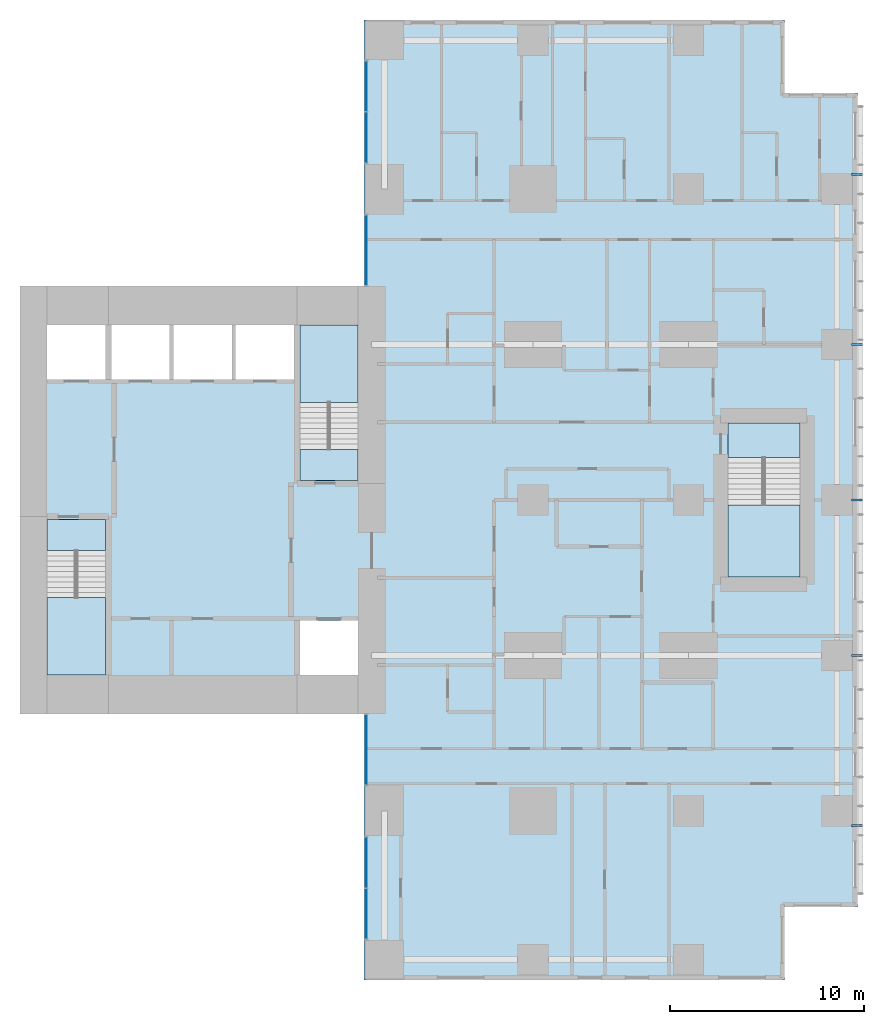
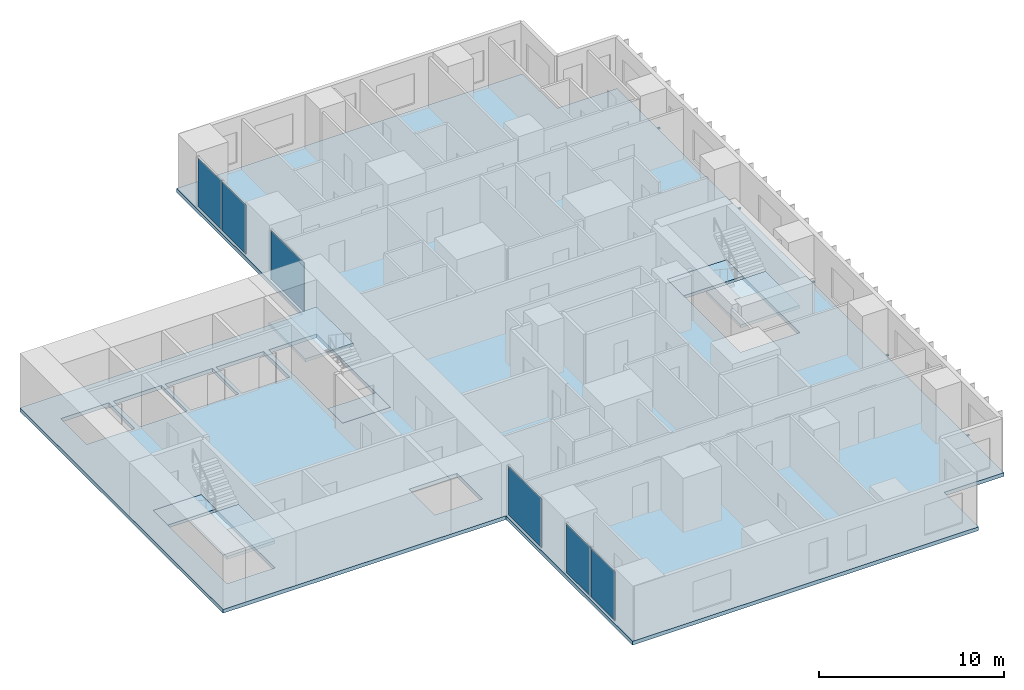
# One storey, part 4 of 12: 7 slabs, 6 plates, 5 members, 7 elements without a shape of their own.
"""IFC4 building model written with IfcOpenShell, lengths in metres."""

from ifc_helpers import new_model, si_unit, direction, frame, origin, origin_2d, place, context, subcontext, project, spatial, polyline, rectangle, hollow_rectangle, outline, extrude, material, layer, layer_set, material_profile, profile_set, type_object, element, aggregate, save


model = new_model("IFC4")

# Units and contexts
model_context = context("Model", 3, precision=1e-05, world=origin(), true_north=direction((0.0, 1.0)))
body_context = subcontext(model_context, "Body", "Model", "MODEL_VIEW")
ifc_project = project(units=[si_unit("LENGTHUNIT", "METRE"), si_unit("AREAUNIT", "SQUARE_METRE"), si_unit("VOLUMEUNIT", "CUBIC_METRE"), si_unit("PLANEANGLEUNIT", "RADIAN"), si_unit("MASSUNIT", "GRAM", prefix="KILO")], contexts=[model_context])

# Site, building, storey
site_placement = place(None, origin())
site = spatial("IfcSite", under=ifc_project, at=site_placement, CompositionType="ELEMENT")
building_placement = place(site_placement, origin())
building = spatial("IfcBuilding", under=site, at=building_placement, Name="Cleftline Residences", CompositionType="ELEMENT")
storey_placement = place(building_placement, frame((0.0, 0.0, 252.0)))
storey = spatial("IfcBuildingStorey", under=building, at=storey_placement, Name="L66", CompositionType="ELEMENT", Elevation=252.0)

# Members
ifc_material_1 = material(Name="Steel S355, hot-dip galvanised", Category="steel")
ifc_material_profile = material_profile(ifc_material_1, hollow_rectangle(XDim=0.10009765625, YDim=0.10009765625, WallThickness=0.008056640625, InnerFilletRadius=0.008056640625, OuterFilletRadius=0.011962890625, at=origin_2d()))
ifc_profile_set = profile_set([ifc_material_profile], Name="Steel S355, hot-dip galvanised")
member_type = type_object("IfcMemberType", Name="BAGUETTE BRACKET SHS 100X100X8", PredefinedType="USERDEFINED", material=ifc_profile_set)
for number, where, z_axis, x_axis, name in (
    (1, (66.39990234375, 7.25, -0.14990234375), (1.0, 0.0, 0.0), (0.0, 1.0, 0.0), "Baguette bracket"),
    (2, (66.39990234375, 16.0, -0.14990234375), (1.0, 0.0, 0.0), (0.0, 1.0, 0.0), "Baguette bracket"),
    (3, (66.39990234375, 24.0, -0.14990234375), (1.0, 0.0, 0.0), (0.0, 1.0, 0.0), "Baguette bracket"),
    (4, (66.39990234375, 32.0, -0.14990234375), (1.0, 0.0, 0.0), (0.0, 1.0, 0.0), "Baguette bracket"),
    (5, (66.39990234375, 40.75, -0.14990234375), (1.0, 0.0, 0.0), (0.0, 1.0, 0.0), "Baguette bracket"),
):
    element("IfcMember", number, at=place(storey_placement, frame(where, z_axis=z_axis, x_axis=x_axis)), inside=storey, type_object=member_type, Name=name, ObjectType="BAGUETTE BRACKET", PredefinedType="USERDEFINED", context=body_context, shape_type="SweptSolid", body=[
        extrude(hollow_rectangle(XDim=0.10009765625, YDim=0.10009765625, WallThickness=0.008056640625, InnerFilletRadius=0.008056640625, OuterFilletRadius=0.011962890625, at=origin_2d()), origin(), (0.0, 0.0, 1.0), 0.550048828125),
    ])

# Curtain wall, plate
ifc_material_2 = material(Name="Aluminium framed curtain wall", Category="aluminium")
ifc_layer_1 = layer(ifc_material_2, 0.199951171875)
ifc_layer_set_1 = layer_set([ifc_layer_1], Name="CW1 CLEFT GLAZING")
curtain_wall_type = type_object("IfcCurtainWallType", Name="CW1 CLEFT GLAZING", PredefinedType="NOTDEFINED", material=ifc_layer_set_1)
curtain_wall_1_placement = place(storey_placement, origin())
curtain_wall_1 = element("IfcCurtainWall", 6, at=curtain_wall_1_placement, inside=storey, type_object=curtain_wall_type, Name="Curtain wall CW1", PredefinedType="NOTDEFINED")
ifc_material_3 = material(Name="Laminated clear glass", Category="glass")
ifc_layer_2 = layer(ifc_material_3, 0.028076171875)
ifc_layer_set_2 = layer_set([ifc_layer_2], Name="CW1 GLASS PANEL")
plate_type = type_object("IfcPlateType", Name="CW1 GLASS PANEL", PredefinedType="CURTAIN_PANEL", material=ifc_layer_set_2)
plate_1_placement = place(storey_placement, frame((41.425048828125, 11.14990234375, 0.06005859375), z_axis=(0.0, 0.0, 1.0), x_axis=(0.0, -1.0, 0.0)))
plate_1 = element("IfcPlate", 7, at=plate_1_placement, type_object=plate_type, Name="CW1 panel 1.1", PredefinedType="CURTAIN_PANEL", context=body_context, shape_type="SweptSolid", body=[
    extrude(rectangle(XDim=3.580078125, YDim=0.028076171875, at=origin_2d()), origin(), (0.0, 0.0, 1.0), 3.22998046875),
])
aggregate(curtain_wall_1, [plate_1])

# Curtain wall, plates
curtain_wall_2_placement = place(storey_placement, origin())
curtain_wall_2 = element("IfcCurtainWall", 8, at=curtain_wall_2_placement, inside=storey, type_object=curtain_wall_type, Name="Curtain wall CW1", PredefinedType="NOTDEFINED")
plate_2_placement = place(storey_placement, frame((41.425048828125, 5.347412109375, 0.06005859375), z_axis=(0.0, 0.0, 1.0), x_axis=(0.0, -1.0, 0.0)))
plate_2 = element("IfcPlate", 9, at=plate_2_placement, type_object=plate_type, Name="CW1 panel 1.1", PredefinedType="CURTAIN_PANEL", context=body_context, shape_type="SweptSolid", body=[
    extrude(rectangle(XDim=2.5849609375, YDim=0.028076171875, at=origin_2d()), origin(), (0.0, 0.0, 1.0), 3.22998046875),
])
plate_3_placement = place(storey_placement, frame((41.425048828125, 2.702392578125, 0.06005859375), z_axis=(0.0, 0.0, 1.0), x_axis=(0.0, -1.0, 0.0)))
plate_3 = element("IfcPlate", 10, at=plate_3_placement, type_object=plate_type, Name="CW1 panel 2.1", PredefinedType="CURTAIN_PANEL", context=body_context, shape_type="SweptSolid", body=[
    extrude(rectangle(XDim=2.5849609375, YDim=0.028076171875, at=origin_2d()), origin(), (0.0, 0.0, 1.0), 3.22998046875),
])
aggregate(curtain_wall_2, [plate_2, plate_3])

curtain_wall_3_placement = place(storey_placement, origin())
curtain_wall_3 = element("IfcCurtainWall", 11, at=curtain_wall_3_placement, inside=storey, type_object=curtain_wall_type, Name="Curtain wall CW1", PredefinedType="NOTDEFINED")
plate_4_placement = place(storey_placement, frame((41.425048828125, 45.297607421875, 0.06005859375), z_axis=(0.0, 0.0, 1.0), x_axis=(0.0, -1.0, 0.0)))
plate_4 = element("IfcPlate", 12, at=plate_4_placement, type_object=plate_type, Name="CW1 panel 1.1", PredefinedType="CURTAIN_PANEL", context=body_context, shape_type="SweptSolid", body=[
    extrude(rectangle(XDim=2.5849609375, YDim=0.028076171875, at=origin_2d()), origin(), (0.0, 0.0, 1.0), 3.22998046875),
])
plate_5_placement = place(storey_placement, frame((41.425048828125, 42.652587890625, 0.06005859375), z_axis=(0.0, 0.0, 1.0), x_axis=(0.0, -1.0, 0.0)))
plate_5 = element("IfcPlate", 13, at=plate_5_placement, type_object=plate_type, Name="CW1 panel 2.1", PredefinedType="CURTAIN_PANEL", context=body_context, shape_type="SweptSolid", body=[
    extrude(rectangle(XDim=2.5849609375, YDim=0.028076171875, at=origin_2d()), origin(), (0.0, 0.0, 1.0), 3.22998046875),
])
aggregate(curtain_wall_3, [plate_4, plate_5])

# Curtain wall, plate
curtain_wall_4_placement = place(storey_placement, origin())
curtain_wall_4 = element("IfcCurtainWall", 14, at=curtain_wall_4_placement, inside=storey, type_object=curtain_wall_type, Name="Curtain wall CW1", PredefinedType="NOTDEFINED")
plate_6_placement = place(storey_placement, frame((41.425048828125, 36.85009765625, 0.06005859375), z_axis=(0.0, 0.0, 1.0), x_axis=(0.0, -1.0, 0.0)))
plate_6 = element("IfcPlate", 15, at=plate_6_placement, type_object=plate_type, Name="CW1 panel 1.1", PredefinedType="CURTAIN_PANEL", context=body_context, shape_type="SweptSolid", body=[
    extrude(rectangle(XDim=3.580078125, YDim=0.028076171875, at=origin_2d()), origin(), (0.0, 0.0, 1.0), 3.22998046875),
])
aggregate(curtain_wall_4, [plate_6])

# Slab
ifc_material_4 = material(Name="Concrete B45", Category="concrete")
ifc_layer_3 = layer(ifc_material_4, 0.25)
ifc_layer_set_3 = layer_set([ifc_layer_3], Name="FLOOR SLAB 250")
slab_type_1 = type_object("IfcSlabType", Name="FLOOR SLAB 250", PredefinedType="FLOOR", material=ifc_layer_set_3)
slab_1_placement = place(storey_placement, frame((0.0, 0.0, -0.25)))
element("IfcSlab", 16, at=slab_1_placement, inside=storey, type_object=slab_type_1, Name="Floor slab L66", PredefinedType="FLOOR", context=body_context, shape_type="SweptSolid", body=[
    extrude(outline(polyline([(41.300048828125, 13.0), (41.300048828125, -0.699951171875), (62.949951171875, -0.699951171875), (62.949951171875, 3.050048828125), (66.699951171875, 3.050048828125), (66.699951171875, 44.949951171875), (62.949951171875, 44.949951171875), (62.949951171875, 48.699951171875), (41.300048828125, 48.699951171875), (41.300048828125, 35.0), (23.60009765625, 35.0), (23.60009765625, 13.0), (41.300048828125, 13.0)]), holes=[polyline([(28.0, 15.0), (28.0, 23.0), (25.0, 23.0), (25.0, 15.0), (28.0, 15.0)]), polyline([(41.0, 25.0), (41.0, 33.0), (38.0, 33.0), (38.0, 25.0), (41.0, 25.0)]), polyline([(28.0, 30.199951171875), (28.0, 33.0), (25.0, 33.0), (25.0, 30.199951171875), (28.0, 30.199951171875)]), polyline([(41.0, 15.0), (41.0, 17.800048828125), (38.0, 17.800048828125), (38.0, 15.0), (41.0, 15.0)]), polyline([(31.300048828125, 30.199951171875), (31.300048828125, 33.0), (28.300048828125, 33.0), (28.300048828125, 30.199951171875), (31.300048828125, 30.199951171875)]), polyline([(34.5, 30.199951171875), (34.5, 33.0), (31.5, 33.0), (31.5, 30.199951171875), (34.5, 30.199951171875)]), polyline([(37.699951171875, 30.199951171875), (37.699951171875, 33.0), (34.699951171875, 33.0), (34.699951171875, 30.199951171875), (37.699951171875, 30.199951171875)]), polyline([(63.72509765625, 20.02490234375), (63.72509765625, 27.97509765625), (60.02490234375, 27.97509765625), (60.02490234375, 20.02490234375), (63.72509765625, 20.02490234375)])]), origin(), (0.0, 0.0, 1.0), 0.25),
])

# Stair, slabs
ifc_material_5 = material(Name="Concrete B45, stone treads", Category="masonry")
stair_type_1 = type_object("IfcStairType", Name="STAIR A 1450 WIDE 180 RISER", PredefinedType="HALF_TURN_STAIR", material=ifc_material_5)
stair_1_placement = place(storey_placement, origin())
stair_1 = element("IfcStair", 17, at=stair_1_placement, inside=storey, type_object=stair_type_1, Name="Stair A L66", PredefinedType="HALF_TURN_STAIR")
ifc_material_6 = material(Name="Concrete B45", Category="concrete")
ifc_layer_4 = layer(ifc_material_6, 0.199951171875)
ifc_layer_set_4 = layer_set([ifc_layer_4], Name="STAIR LANDING 200")
slab_type_2 = type_object("IfcSlabType", Name="STAIR LANDING 200", PredefinedType="LANDING", material=ifc_layer_set_4)
slab_2_placement = place(storey_placement, frame((0.0, 0.0, -0.199951171875)))
slab_2 = element("IfcSlab", 18, at=slab_2_placement, type_object=slab_type_2, Name="ST-A landing 1", PredefinedType="LANDING", context=body_context, shape_type="SweptSolid", body=[
    extrude(outline(polyline([(25.0, 21.39990234375), (28.0, 21.39990234375), (28.0, 23.0), (25.0, 23.0), (25.0, 21.39990234375)])), origin(), (0.0, 0.0, 1.0), 0.199951171875),
])
slab_3_placement = place(storey_placement, frame((0.0, 0.0, 1.60009765625)))
slab_3 = element("IfcSlab", 19, at=slab_3_placement, type_object=slab_type_2, Name="ST-A landing 2", PredefinedType="LANDING", context=body_context, shape_type="SweptSolid", body=[
    extrude(outline(polyline([(25.0, 15.0), (28.0, 15.0), (28.0, 18.969970703125), (25.0, 18.969970703125), (25.0, 15.0)])), origin(), (0.0, 0.0, 1.0), 0.199951171875),
])
aggregate(stair_1, [slab_2, slab_3])

ifc_material_7 = material(Name="Concrete B45, stone treads", Category="masonry")
stair_type_2 = type_object("IfcStairType", Name="STAIR B 1450 WIDE 180 RISER", PredefinedType="HALF_TURN_STAIR", material=ifc_material_7)
stair_2_placement = place(storey_placement, origin())
stair_2 = element("IfcStair", 20, at=stair_2_placement, inside=storey, type_object=stair_type_2, Name="Stair B L66", PredefinedType="HALF_TURN_STAIR")
slab_4_placement = place(storey_placement, frame((0.0, 0.0, -0.199951171875)))
slab_4 = element("IfcSlab", 21, at=slab_4_placement, type_object=slab_type_2, Name="ST-B landing 1", PredefinedType="LANDING", context=body_context, shape_type="SweptSolid", body=[
    extrude(outline(polyline([(38.0, 25.0), (41.0, 25.0), (41.0, 26.60009765625), (38.0, 26.60009765625), (38.0, 25.0)])), origin(), (0.0, 0.0, 1.0), 0.199951171875),
])
slab_5_placement = place(storey_placement, frame((0.0, 0.0, 1.60009765625)))
slab_5 = element("IfcSlab", 22, at=slab_5_placement, type_object=slab_type_2, Name="ST-B landing 2", PredefinedType="LANDING", context=body_context, shape_type="SweptSolid", body=[
    extrude(outline(polyline([(38.0, 29.030029296875), (41.0, 29.030029296875), (41.0, 33.0), (38.0, 33.0), (38.0, 29.030029296875)])), origin(), (0.0, 0.0, 1.0), 0.199951171875),
])
aggregate(stair_2, [slab_4, slab_5])

ifc_material_8 = material(Name="Concrete B45, stone treads", Category="masonry")
stair_type_3 = type_object("IfcStairType", Name="STAIR E 1800 WIDE 180 RISER", PredefinedType="HALF_TURN_STAIR", material=ifc_material_8)
stair_3_placement = place(storey_placement, origin())
stair_3 = element("IfcStair", 23, at=stair_3_placement, inside=storey, type_object=stair_type_3, Name="Stair E L66", PredefinedType="HALF_TURN_STAIR")
slab_6_placement = place(storey_placement, frame((0.0, 0.0, -0.199951171875)))
slab_6 = element("IfcSlab", 24, at=slab_6_placement, type_object=slab_type_2, Name="ST-E landing 1", PredefinedType="LANDING", context=body_context, shape_type="SweptSolid", body=[
    extrude(outline(polyline([(60.02490234375, 26.175048828125), (63.72509765625, 26.175048828125), (63.72509765625, 27.97509765625), (60.02490234375, 27.97509765625), (60.02490234375, 26.175048828125)])), origin(), (0.0, 0.0, 1.0), 0.199951171875),
])
slab_7_placement = place(storey_placement, frame((0.0, 0.0, 1.60009765625)))
slab_7 = element("IfcSlab", 25, at=slab_7_placement, type_object=slab_type_2, Name="ST-E landing 2", PredefinedType="LANDING", context=body_context, shape_type="SweptSolid", body=[
    extrude(outline(polyline([(60.02490234375, 20.02490234375), (63.72509765625, 20.02490234375), (63.72509765625, 23.7451171875), (60.02490234375, 23.7451171875), (60.02490234375, 20.02490234375)])), origin(), (0.0, 0.0, 1.0), 0.199951171875),
])
aggregate(stair_3, [slab_6, slab_7])

save(model, "model.ifc")
